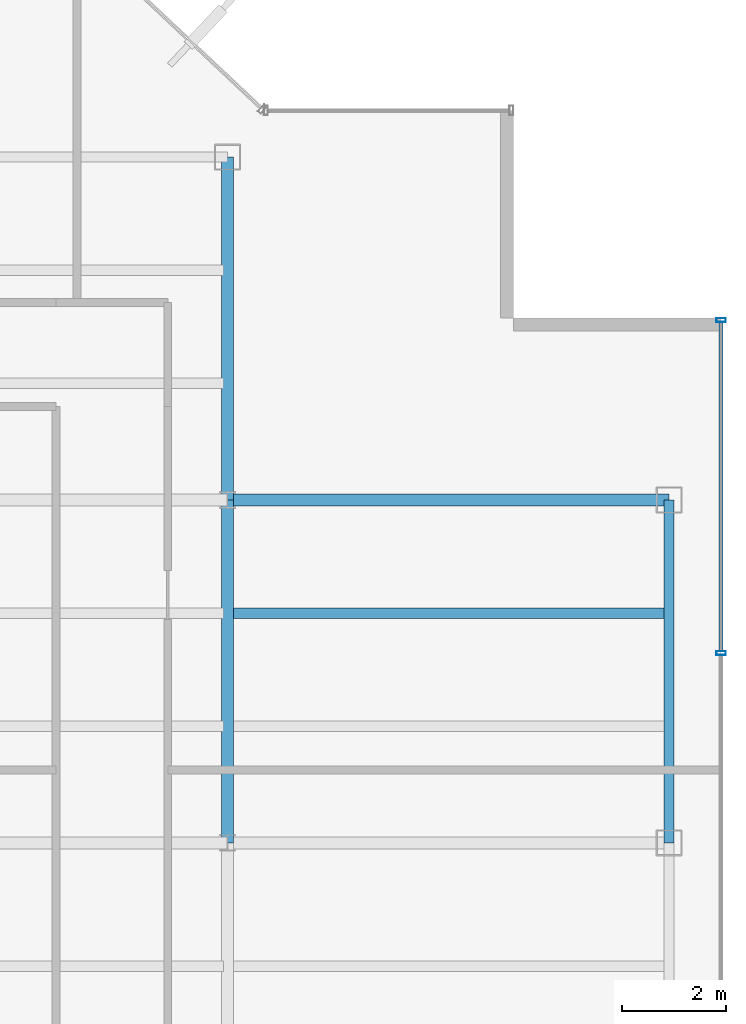
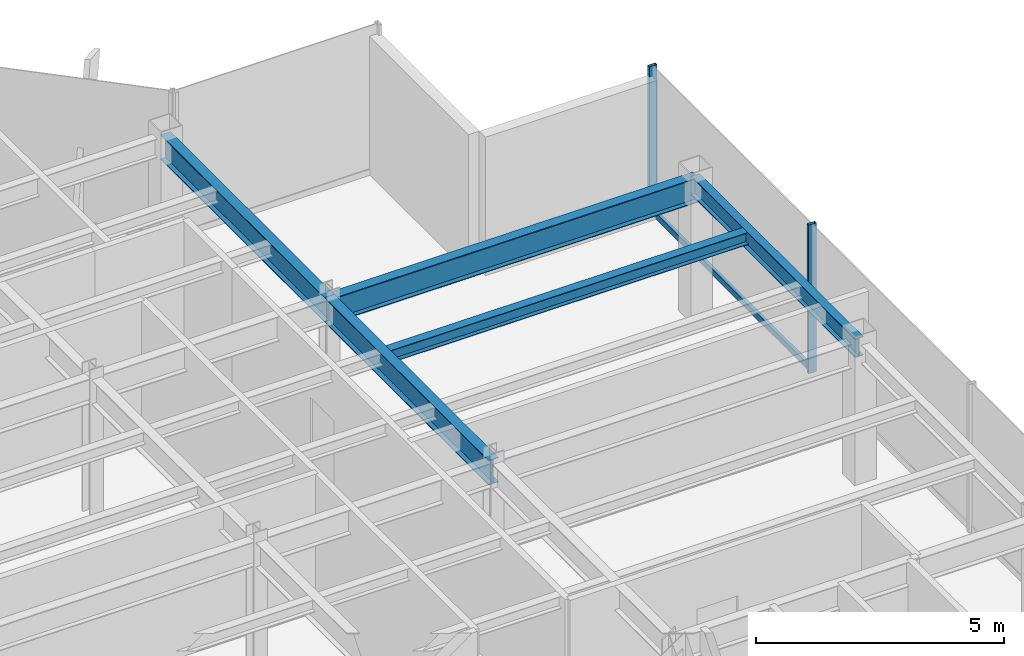
# One storey, part 11 of 22: 5 beams, 3 members, 1 element without a shape of its own.
"""IFC4 building model written with IfcOpenShell, lengths in metres."""

from ifc_helpers import new_model, si_unit, derived_unit, direction, frame, origin, origin_2d, place, context, subcontext, project, spatial, hollow_rectangle, i_section, extrude, source, transform, mapped, material, material_profile, profile_set, type_object, element, aggregate, save


model = new_model("IFC4")

# Units and contexts
model_context = context("Model", 3, precision=1e-05, world=origin(), true_north=direction((0.0, 1.0)))
body_context = subcontext(model_context, "Body", "Model", "MODEL_VIEW")
ifc_project = project(units=[si_unit("LENGTHUNIT", "METRE"), si_unit("AREAUNIT", "SQUARE_METRE"), si_unit("VOLUMEUNIT", "CUBIC_METRE"), si_unit("PLANEANGLEUNIT", "RADIAN"), si_unit("MASSUNIT", "GRAM", prefix="KILO"), derived_unit("THERMALTRANSMITTANCEUNIT", [(si_unit("POWERUNIT", "WATT"), 1), (si_unit("LENGTHUNIT", "METRE"), -2), (si_unit("THERMODYNAMICTEMPERATUREUNIT", "KELVIN"), -1)])], contexts=[model_context])

# Site, building, storey
site_placement = place(None, origin())
site = spatial("IfcSite", under=ifc_project, at=site_placement, CompositionType="ELEMENT")
building_placement = place(site_placement, origin())
building = spatial("IfcBuilding", under=site, at=building_placement, Name="Skarnbrae Concourse Arena and Tower", CompositionType="ELEMENT")
storey_placement = place(building_placement, frame((0.0, 0.0, 247.85009765625)))
storey = spatial("IfcBuildingStorey", under=building, at=storey_placement, Name="L64", CompositionType="ELEMENT", Elevation=247.85009765625)

# Beams
ifc_material_1 = material(Name="Steel CSA G40.21 350W", Category="steel")
ifc_material_profile_1 = material_profile(ifc_material_1, i_section(OverallWidth=0.22802734375, OverallDepth=0.60791015625, WebThickness=0.01123046875, FlangeThickness=0.017333984375, at=origin_2d()), Name="W610X113")
ifc_profile_set_1 = profile_set([ifc_material_profile_1], Name="Steel CSA G40.21 350W")
beam_type_1 = type_object("IfcBeamType", Name="BM-GIRD-W610X113", PredefinedType="BEAM", material=ifc_profile_set_1)
shared_shape_1 = source(origin(), body_context, "Body", "SweptSolid", [
    extrude(i_section(OverallWidth=0.22802734375, OverallDepth=0.60791015625, WebThickness=0.01123046875, FlangeThickness=0.017333984375, at=origin_2d()), origin(), (0.0, 0.0, 1.0), 6.60009765625),
])
beam_1_placement = place(storey_placement, frame((33.5, 21.199951171875, 3.095947265625), z_axis=(0.0, 1.0, 0.0), x_axis=(-1.0, 0.0, 0.0)))
element("IfcBeam", 1, at=beam_1_placement, inside=storey, type_object=beam_type_1, Name="L64 Primary N-S girder X33.5-2", PredefinedType="BEAM", context=body_context, shape_type="MappedRepresentation", body=[
    mapped(shared_shape_1, transform((0.0, 0.0, 0.0))),
])
shared_shape_2 = source(origin(), body_context, "Body", "SweptSolid", [
    extrude(i_section(OverallWidth=0.22802734375, OverallDepth=0.60791015625, WebThickness=0.01123046875, FlangeThickness=0.017333984375, at=origin_2d()), origin(), (0.0, 0.0, 1.0), 8.5),
])
beam_2_placement = place(storey_placement, frame((33.5, 27.800048828125, 3.095947265625), z_axis=(1.0, 0.0, 0.0), x_axis=(0.0, 1.0, 0.0)))
element("IfcBeam", 2, at=beam_2_placement, inside=storey, type_object=beam_type_1, Name="L64 Primary E-W girder Y27.8-6", PredefinedType="BEAM", context=body_context, shape_type="MappedRepresentation", body=[
    mapped(shared_shape_2, transform((0.0, 0.0, 0.0))),
])
ifc_material_profile_2 = material_profile(ifc_material_1, i_section(OverallWidth=0.19091796875, OverallDepth=0.4599609375, WebThickness=0.010009765625, FlangeThickness=0.01611328125, at=origin_2d()), Name="W460X82")
ifc_profile_set_2 = profile_set([ifc_material_profile_2], Name="Steel CSA G40.21 350W")
beam_type_2 = type_object("IfcBeamType", Name="BM-SPAN-W460X82", PredefinedType="SPANDREL", material=ifc_profile_set_2)
shared_shape_3 = source(origin(), body_context, "Body", "SweptSolid", [
    extrude(i_section(OverallWidth=0.19091796875, OverallDepth=0.4599609375, WebThickness=0.010009765625, FlangeThickness=0.01611328125, at=origin_2d()), origin(), (0.0, 0.0, 1.0), 6.60009765625),
])
beam_3_placement = place(storey_placement, frame((42.0, 21.199951171875, 3.169921875), z_axis=(0.0, 1.0, 0.0), x_axis=(-1.0, 0.0, 0.0)))
element("IfcBeam", 3, at=beam_3_placement, inside=storey, type_object=beam_type_2, Name="L64 Perimeter spandrel X42.0-3", PredefinedType="SPANDREL", context=body_context, shape_type="MappedRepresentation", body=[
    mapped(shared_shape_3, transform((0.0, 0.0, 0.0))),
])
shared_shape_4 = source(origin(), body_context, "Body", "SweptSolid", [
    extrude(i_section(OverallWidth=0.22802734375, OverallDepth=0.60791015625, WebThickness=0.01123046875, FlangeThickness=0.017333984375, at=origin_2d()), origin(), (0.0, 0.0, 1.0), 6.599853515625),
])
beam_4_placement = place(storey_placement, frame((33.5, 27.800048828125, 3.095947265625), z_axis=(0.0, 1.0, 0.0), x_axis=(-1.0, 0.0, 0.0)))
element("IfcBeam", 4, at=beam_4_placement, inside=storey, type_object=beam_type_1, Name="L64 Primary N-S girder X33.5-3", PredefinedType="BEAM", context=body_context, shape_type="MappedRepresentation", body=[
    mapped(shared_shape_4, transform((0.0, 0.0, 0.0))),
])
ifc_material_profile_3 = material_profile(ifc_material_1, i_section(OverallWidth=0.202880859375, OverallDepth=0.302978515625, WebThickness=0.007568359375, FlangeThickness=0.01318359375, at=origin_2d()), Name="W310X60")
ifc_profile_set_3 = profile_set([ifc_material_profile_3], Name="Steel CSA G40.21 350W")
beam_type_3 = type_object("IfcBeamType", Name="BM-JOIST-W310X60", PredefinedType="JOIST", material=ifc_profile_set_3)
shared_shape_5 = source(origin(), body_context, "Body", "SweptSolid", [
    extrude(i_section(OverallWidth=0.202880859375, OverallDepth=0.302978515625, WebThickness=0.007568359375, FlangeThickness=0.01318359375, at=origin_2d()), origin(), (0.0, 0.0, 1.0), 8.33984375),
])
beam_5_placement = place(storey_placement, frame((33.580078125, 25.6220703125, 3.248291015625), z_axis=(1.0, 0.0, 0.0), x_axis=(0.0, 1.0, 0.0)))
element("IfcBeam", 5, at=beam_5_placement, inside=storey, type_object=beam_type_3, Name="L64 Secondary floor joist 2.2.6", PredefinedType="JOIST", context=body_context, shape_type="MappedRepresentation", body=[
    mapped(shared_shape_5, transform((0.0, 0.0, 0.0))),
])

# Curtain wall, members
ifc_material_2 = material(Name="Bronze anodised aluminium 6063-T6", Category="aluminium")
curtain_wall_type = type_object("IfcCurtainWallType", Name="CW-SYS-05-HIGHZONE", PredefinedType="USERDEFINED", material=ifc_material_2)
curtain_wall_placement = place(storey_placement, origin())
curtain_wall = element("IfcCurtainWall", 6, at=curtain_wall_placement, inside=storey, type_object=curtain_wall_type, Name="L64 Unitised curtain wall CW-L64-E04", ObjectType="UNITISED CURTAIN WALL", PredefinedType="USERDEFINED")
ifc_material_profile_4 = material_profile(ifc_material_2, hollow_rectangle(XDim=0.074951171875, YDim=0.179931640625, WallThickness=0.00390625, at=origin_2d()), Name="ALU-MULL-75X180")
ifc_profile_set_4 = profile_set([ifc_material_profile_4], Name="Bronze anodised aluminium 6063-T6")
member_type_1 = type_object("IfcMemberType", Name="CWM-CW-05", PredefinedType="MULLION", material=ifc_profile_set_4)
shared_shape_6 = source(origin(), body_context, "Body", "SweptSolid", [
    extrude(hollow_rectangle(XDim=0.074951171875, YDim=0.179931640625, WallThickness=0.00390625, at=origin_2d()), origin(), (0.0, 0.0, 1.0), 3.64990234375),
])
member_1_placement = place(storey_placement, frame((43.0, 24.85009765625, 0.0), z_axis=(0.0, 0.0, 1.0), x_axis=(0.0, 1.0, 0.0)))
member_1 = element("IfcMember", 7, at=member_1_placement, type_object=member_type_1, Name="CW-L64-E04 Mullion 4", PredefinedType="MULLION", context=body_context, shape_type="MappedRepresentation", body=[
    mapped(shared_shape_6, transform((0.0, 0.0, 0.0))),
])
member_2_placement = place(storey_placement, frame((43.0, 31.262451171875, 0.0), z_axis=(0.0, 0.0, 1.0), x_axis=(0.0, 1.0, 0.0)))
member_2 = element("IfcMember", 8, at=member_2_placement, type_object=member_type_1, Name="CW-L64-E04 Mullion 5", PredefinedType="MULLION", context=body_context, shape_type="MappedRepresentation", body=[
    mapped(shared_shape_6, transform((0.0, 0.0, 0.0))),
])
ifc_material_profile_5 = material_profile(ifc_material_2, hollow_rectangle(XDim=0.074951171875, YDim=0.14990234375, WallThickness=0.00390625, at=origin_2d()), Name="ALU-TRAN-75X150")
ifc_profile_set_5 = profile_set([ifc_material_profile_5], Name="Bronze anodised aluminium 6063-T6")
member_type_2 = type_object("IfcMemberType", Name="CWT-CW-05", PredefinedType="USERDEFINED", material=ifc_profile_set_5)
shared_shape_7 = source(origin(), body_context, "Body", "SweptSolid", [
    extrude(hollow_rectangle(XDim=0.074951171875, YDim=0.14990234375, WallThickness=0.00390625, at=origin_2d()), origin(), (0.0, 0.0, 1.0), 6.337646484375),
])
member_3_placement = place(storey_placement, frame((43.0, 24.887451171875, 0.074951171875), z_axis=(0.0, 1.0, 0.0), x_axis=(-1.0, 0.0, 0.0)))
member_3 = element("IfcMember", 9, at=member_3_placement, type_object=member_type_2, Name="CW-L64-E04 Transom 4", ObjectType="TRANSOM", PredefinedType="USERDEFINED", context=body_context, shape_type="MappedRepresentation", body=[
    mapped(shared_shape_7, transform((0.0, 0.0, 0.0))),
])
aggregate(curtain_wall, [member_1, member_2, member_3])

save(model, "model.ifc")
